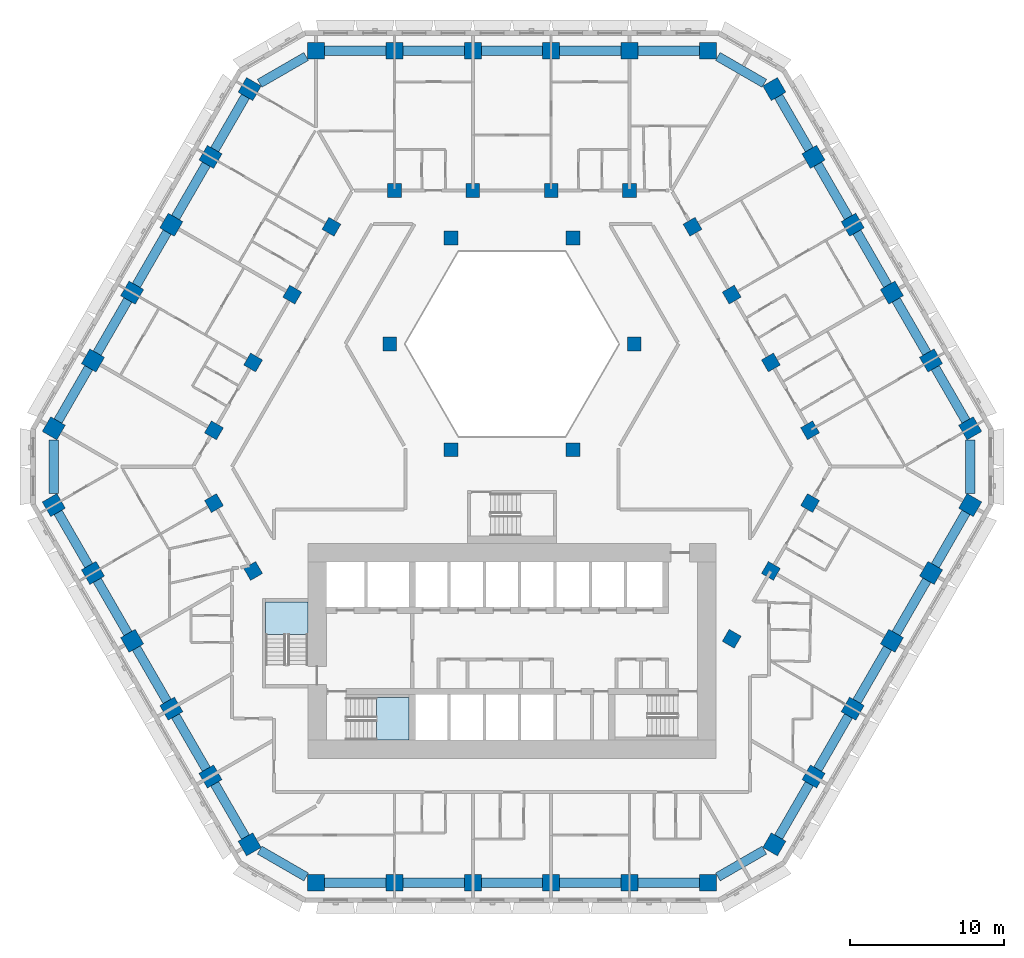
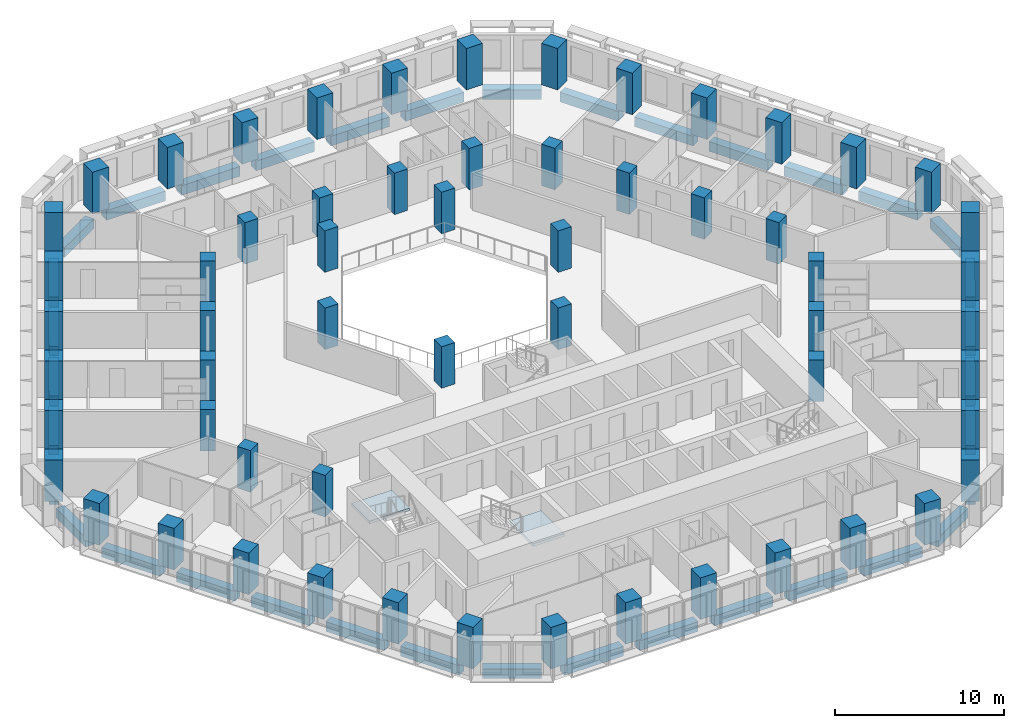
# One storey, part 1 of 21: 59 columns, 36 beams, 2 slabs, 2 elements without a shape of their own.
"""IFC4 building model written with IfcOpenShell, lengths in metres."""

from ifc_helpers import new_model, si_unit, direction, frame, origin, origin_2d, place, context, subcontext, project, spatial, polyline, rectangle, outline, extrude, material, layer, layer_set, material_profile, profile_set, type_object, element, aggregate, save


model = new_model("IFC4")

# Units and contexts
model_context = context("Model", 3, precision=1e-05, world=origin(), true_north=direction((0.0, 1.0)))
body_context = subcontext(model_context, "Body", "Model", "MODEL_VIEW")
ifc_project = project(units=[si_unit("LENGTHUNIT", "METRE"), si_unit("AREAUNIT", "SQUARE_METRE"), si_unit("VOLUMEUNIT", "CUBIC_METRE"), si_unit("PLANEANGLEUNIT", "RADIAN"), si_unit("MASSUNIT", "GRAM", prefix="KILO")], contexts=[model_context])

# Site, building, storey
site_placement = place(None, origin())
site = spatial("IfcSite", under=ifc_project, at=site_placement, CompositionType="ELEMENT")
building_placement = place(site_placement, origin())
building = spatial("IfcBuilding", under=site, at=building_placement, Name="Beryl Residences", CompositionType="ELEMENT")
storey_placement = place(building_placement, frame((0.0, 0.0, 59.39990234375)))
storey = spatial("IfcBuildingStorey", under=building, at=storey_placement, Name="L18", CompositionType="ELEMENT", Elevation=59.39990234375)

# Columns
ifc_material_1 = material(Name="Concrete C80/95", Category="concrete")
ifc_material_profile_1 = material_profile(ifc_material_1, rectangle(XDim=1.10009765625, YDim=1.10009765625, at=origin_2d()))
ifc_profile_set_1 = profile_set([ifc_material_profile_1], Name="Concrete C80/95")
column_type_1 = type_object("IfcColumnType", Name="C1 tube column 1100 x 1100 C80/95", PredefinedType="COLUMN", material=ifc_profile_set_1)
for number, where, z_axis, x_axis, name in (
    (1, (12.759033203125, 27.10009765625, 0.0), (0.0, 0.0, 1.0), (-1.0, 0.0, 0.0), "C1-N1 L18"),
    (2, (7.655029296875, 27.10009765625, 0.0), (0.0, 0.0, 1.0), (-1.0, 0.0, 0.0), "C1-N2 L18"),
    (3, (2.551025390625, 27.10009765625, 0.0), (0.0, 0.0, 1.0), (-1.0, 0.0, 0.0), "C1-N3 L18"),
    (4, (-2.552978515625, 27.10009765625, 0.0), (0.0, 0.0, 1.0), (-1.0, 0.0, 0.0), "C1-N4 L18"),
    (5, (-7.656982421875, 27.10009765625, 0.0), (0.0, 0.0, 1.0), (-1.0, 0.0, 0.0), "C1-N5 L18"),
    (6, (-12.760986328125, 27.10009765625, 0.0), (0.0, 0.0, 1.0), (-1.0, 0.0, 0.0), "C1-N6 L18"),
    (7, (-17.090087890625, 24.60009765625, 0.0), (0.0, 0.0, 1.0), (-0.499984884929, -0.866034130299, 0.0), "C1-NW1 L18"),
    (8, (-19.64208984375, 20.179931640625, 0.0), (0.0, 0.0, 1.0), (-0.499984884929, -0.866034130299, 0.0), "C1-NW2 L18"),
    (9, (-22.194091796875, 15.759033203125, 0.0), (0.0, 0.0, 1.0), (-0.499984884929, -0.866034130299, 0.0), "C1-NW3 L18"),
    (10, (-24.74609375, 11.339111328125, 0.0), (0.0, 0.0, 1.0), (-0.499984884929, -0.866034130299, 0.0), "C1-NW4 L18"),
    (11, (-27.298095703125, 6.9189453125, 0.0), (0.0, 0.0, 1.0), (-0.499984884929, -0.866034130299, 0.0), "C1-NW5 L18"),
    (12, (-29.84912109375, 2.4990234375, 0.0), (0.0, 0.0, 1.0), (-0.499984884929, -0.866034130299, 0.0), "C1-NW6 L18"),
    (13, (-29.847900390625, -2.5, 0.0), (0.0, 0.0, 1.0), (0.499984884929, -0.866034130299, 0.0), "C1-SW1 L18"),
    (14, (-27.297119140625, -6.9208984375, 0.0), (0.0, 0.0, 1.0), (0.499984884929, -0.866034130299, 0.0), "C1-SW2 L18"),
    (15, (-24.7451171875, -11.341064453125, 0.0), (0.0, 0.0, 1.0), (0.499984884929, -0.866034130299, 0.0), "C1-SW3 L18"),
    (16, (-22.193115234375, -15.760986328125, 0.0), (0.0, 0.0, 1.0), (0.499984884929, -0.866034130299, 0.0), "C1-SW4 L18"),
    (17, (-19.64111328125, -20.180908203125, 0.0), (0.0, 0.0, 1.0), (0.499984884929, -0.866034130299, 0.0), "C1-SW5 L18"),
    (18, (-17.089111328125, -24.60107421875, 0.0), (0.0, 0.0, 1.0), (0.499984884929, -0.866034130299, 0.0), "C1-SW6 L18"),
    (19, (-12.759033203125, -27.10009765625, 0.0), (0.0, 0.0, 1.0), (1.0, 0.0, 0.0), "C1-S1 L18"),
    (20, (-7.655029296875, -27.10009765625, 0.0), (0.0, 0.0, 1.0), (1.0, 0.0, 0.0), "C1-S2 L18"),
    (21, (-2.551025390625, -27.10009765625, 0.0), (0.0, 0.0, 1.0), (1.0, 0.0, 0.0), "C1-S3 L18"),
    (22, (2.552978515625, -27.10009765625, 0.0), (0.0, 0.0, 1.0), (1.0, 0.0, 0.0), "C1-S4 L18"),
    (23, (7.656982421875, -27.10009765625, 0.0), (0.0, 0.0, 1.0), (1.0, 0.0, 0.0), "C1-S5 L18"),
    (24, (12.760986328125, -27.10009765625, 0.0), (0.0, 0.0, 1.0), (1.0, 0.0, 0.0), "C1-S6 L18"),
    (25, (17.090087890625, -24.60009765625, 0.0), (0.0, 0.0, 1.0), (0.499984884929, 0.866034130299, 0.0), "C1-SE1 L18"),
    (26, (19.64208984375, -20.179931640625, 0.0), (0.0, 0.0, 1.0), (0.499984884929, 0.866034130299, 0.0), "C1-SE2 L18"),
    (27, (22.194091796875, -15.759033203125, 0.0), (0.0, 0.0, 1.0), (0.499984884929, 0.866034130299, 0.0), "C1-SE3 L18"),
    (28, (24.74609375, -11.339111328125, 0.0), (0.0, 0.0, 1.0), (0.499984884929, 0.866034130299, 0.0), "C1-SE4 L18"),
    (29, (27.298095703125, -6.9189453125, 0.0), (0.0, 0.0, 1.0), (0.499984884929, 0.866034130299, 0.0), "C1-SE5 L18"),
    (30, (29.84912109375, -2.4990234375, 0.0), (0.0, 0.0, 1.0), (0.499984884929, 0.866034130299, 0.0), "C1-SE6 L18"),
    (31, (29.847900390625, 2.5, 0.0), (0.0, 0.0, 1.0), (-0.499984884929, 0.866034130299, 0.0), "C1-NE1 L18"),
    (32, (27.297119140625, 6.9208984375, 0.0), (0.0, 0.0, 1.0), (-0.499984884929, 0.866034130299, 0.0), "C1-NE2 L18"),
    (33, (24.7451171875, 11.341064453125, 0.0), (0.0, 0.0, 1.0), (-0.499984884929, 0.866034130299, 0.0), "C1-NE3 L18"),
    (34, (22.193115234375, 15.760986328125, 0.0), (0.0, 0.0, 1.0), (-0.499984884929, 0.866034130299, 0.0), "C1-NE4 L18"),
    (35, (19.64111328125, 20.180908203125, 0.0), (0.0, 0.0, 1.0), (-0.499984884929, 0.866034130299, 0.0), "C1-NE5 L18"),
    (36, (17.089111328125, 24.60107421875, 0.0), (0.0, 0.0, 1.0), (-0.499984884929, 0.866034130299, 0.0), "C1-NE6 L18"),
):
    element("IfcColumn", number, at=place(storey_placement, frame(where, z_axis=z_axis, x_axis=x_axis)), inside=storey, type_object=column_type_1, Name=name, PredefinedType="COLUMN", context=body_context, shape_type="SweptSolid", body=[
        extrude(rectangle(XDim=1.10009765625, YDim=1.10009765625, at=origin_2d()), origin(), (0.0, 0.0, 1.0), 3.0),
    ])
ifc_material_2 = material(Name="Concrete C80/95", Category="concrete")
ifc_material_profile_2 = material_profile(ifc_material_2, rectangle(XDim=0.89990234375, YDim=0.89990234375, at=origin_2d()))
ifc_profile_set_2 = profile_set([ifc_material_profile_2], Name="Concrete C80/95")
column_type_2 = type_object("IfcColumnType", Name="IC1 interior column 900 x 900 C80/95", PredefinedType="COLUMN", material=ifc_profile_set_2)
for number, where, z_axis, x_axis, name in (
    (37, (-19.416015625, -2.37109375, 0.0), (0.0, 0.0, 1.0), (0.499984884929, -0.866034130299, 0.0), "IC1-M01 L18"),
    (38, (-16.864013671875, -6.791015625, 0.0), (0.0, 0.0, 1.0), (0.499984884929, -0.866034130299, 0.0), "IC1-M02 L18"),
    (39, (14.31298828125, -11.208984375, 0.0), (0.0, 0.0, 1.0), (0.499984884929, 0.866034130299, 0.0), "IC1-M03 L18"),
    (40, (16.864990234375, -6.7890625, 0.0), (0.0, 0.0, 1.0), (0.499984884929, 0.866034130299, 0.0), "IC1-M04 L18"),
    (41, (19.4169921875, -2.368896484375, 0.0), (0.0, 0.0, 1.0), (0.499984884929, 0.866034130299, 0.0), "IC1-M05 L18"),
    (42, (19.416015625, 2.37109375, 0.0), (0.0, 0.0, 1.0), (-0.499984884929, 0.866034130299, 0.0), "IC1-M06 L18"),
    (43, (3.98388671875, 1.10009765625, 0.0), (0.0, 0.0, 1.0), (1.0, 0.0, 0.0), "IC1-A07 L18"),
    (44, (16.864013671875, 6.791015625, 0.0), (0.0, 0.0, 1.0), (-0.499984884929, 0.866034130299, 0.0), "IC1-M08 L18"),
    (45, (14.31201171875, 11.2109375, 0.0), (0.0, 0.0, 1.0), (-0.499984884929, 0.866034130299, 0.0), "IC1-M09 L18"),
    (46, (7.967041015625, 8.0, 0.0), (0.0, 0.0, 1.0), (1.0, 0.0, 0.0), "IC1-A10 L18"),
    (47, (11.760009765625, 15.631103515625, 0.0), (0.0, 0.0, 1.0), (-0.499984884929, 0.866034130299, 0.0), "IC1-M11 L18"),
    (48, (7.655029296875, 18.0, 0.0), (0.0, 0.0, 1.0), (-1.0, 0.0, 0.0), "IC1-M12 L18"),
    (49, (3.98388671875, 14.89990234375, 0.0), (0.0, 0.0, 1.0), (1.0, 0.0, 0.0), "IC1-A13 L18"),
    (50, (2.551025390625, 18.0, 0.0), (0.0, 0.0, 1.0), (-1.0, 0.0, 0.0), "IC1-M14 L18"),
    (51, (-2.552978515625, 18.0, 0.0), (0.0, 0.0, 1.0), (-1.0, 0.0, 0.0), "IC1-M15 L18"),
    (52, (-3.98388671875, 14.89990234375, 0.0), (0.0, 0.0, 1.0), (1.0, 0.0, 0.0), "IC1-A16 L18"),
    (53, (-7.656982421875, 18.0, 0.0), (0.0, 0.0, 1.0), (-1.0, 0.0, 0.0), "IC1-M17 L18"),
    (54, (-11.760986328125, 15.6298828125, 0.0), (0.0, 0.0, 1.0), (-0.499984884929, -0.866034130299, 0.0), "IC1-M18 L18"),
    (55, (-7.967041015625, 8.0, 0.0), (0.0, 0.0, 1.0), (1.0, 0.0, 0.0), "IC1-A19 L18"),
    (56, (-14.31298828125, 11.208984375, 0.0), (0.0, 0.0, 1.0), (-0.499984884929, -0.866034130299, 0.0), "IC1-M20 L18"),
    (57, (-16.864990234375, 6.7890625, 0.0), (0.0, 0.0, 1.0), (-0.499984884929, -0.866034130299, 0.0), "IC1-M21 L18"),
    (58, (-3.98388671875, 1.10009765625, 0.0), (0.0, 0.0, 1.0), (1.0, 0.0, 0.0), "IC1-A22 L18"),
    (59, (-19.4169921875, 2.368896484375, 0.0), (0.0, 0.0, 1.0), (-0.499984884929, -0.866034130299, 0.0), "IC1-M23 L18"),
):
    element("IfcColumn", number, at=place(storey_placement, frame(where, z_axis=z_axis, x_axis=x_axis)), inside=storey, type_object=column_type_2, Name=name, PredefinedType="COLUMN", context=body_context, shape_type="SweptSolid", body=[
        extrude(rectangle(XDim=0.89990234375, YDim=0.89990234375, at=origin_2d()), origin(), (0.0, 0.0, 1.0), 3.0),
    ])

# Beams
ifc_material_3 = material(Name="Concrete C80/95", Category="concrete")
ifc_material_profile_3 = material_profile(ifc_material_3, rectangle(XDim=0.60009765625, YDim=0.699951171875, at=origin_2d()))
ifc_profile_set_3 = profile_set([ifc_material_profile_3], Name="Concrete C80/95")
beam_type = type_object("IfcBeamType", Name="SB1 spandrel beam 600 x 700 C80/95", PredefinedType="SPANDREL", material=ifc_profile_set_3)
for number, where, z_axis, x_axis, name in (
    (60, (12.208984375, 27.10009765625, -0.64990234375), (-1.0, 0.0, 0.0), (0.0, -1.0, 0.0), "SB1 L18 N-0"),
    (61, (7.10498046875, 27.10009765625, -0.64990234375), (-1.0, 0.0, 0.0), (0.0, -1.0, 0.0), "SB1 L18 N-1"),
    (62, (2.0009765625, 27.10009765625, -0.64990234375), (-1.0, 0.0, 0.0), (0.0, -1.0, 0.0), "SB1 L18 N-2"),
    (63, (-3.10302734375, 27.10009765625, -0.64990234375), (-1.0, 0.0, 0.0), (0.0, -1.0, 0.0), "SB1 L18 N-3"),
    (64, (-8.20703125, 27.10009765625, -0.64990234375), (-1.0, 0.0, 0.0), (0.0, -1.0, 0.0), "SB1 L18 N-4"),
):
    element("IfcBeam", number, at=place(storey_placement, frame(where, z_axis=z_axis, x_axis=x_axis)), inside=storey, type_object=beam_type, Name=name, PredefinedType="SPANDREL", context=body_context, shape_type="SweptSolid", body=[
        extrude(rectangle(XDim=0.60009765625, YDim=0.699951171875, at=origin_2d()), origin(), (0.0, 0.0, 1.0), 4.00390625),
    ])
beam_1_placement = place(storey_placement, frame((-13.410888671875, 26.72412109375, -0.64990234375), z_axis=(-0.866121658299, -0.499833245218, 0.0), x_axis=(0.499833245218, -0.866121658299, 0.0)))
element("IfcBeam", 65, at=beam_1_placement, inside=storey, type_object=beam_type, Name="SB1 L18 N-5", PredefinedType="SPANDREL", context=body_context, shape_type="SweptSolid", body=[
    extrude(rectangle(XDim=0.60009765625, YDim=0.699951171875, at=origin_2d()), origin(), (0.0, 0.0, 1.0), 3.497314453125),
])
beam_2_placement = place(storey_placement, frame((-17.364990234375, 24.1240234375, -0.64990234375), z_axis=(-0.499942357345, -0.866058681229, 0.0), x_axis=(0.866058681229, -0.499942357345, 0.0)))
element("IfcBeam", 66, at=beam_2_placement, inside=storey, type_object=beam_type, Name="SB1 L18 NW-0", PredefinedType="SPANDREL", context=body_context, shape_type="SweptSolid", body=[
    extrude(rectangle(XDim=0.60009765625, YDim=0.699951171875, at=origin_2d()), origin(), (0.0, 0.0, 1.0), 4.00439453125),
])
beam_3_placement = place(storey_placement, frame((-19.9169921875, 19.7041015625, -0.64990234375), z_axis=(-0.499836783367, -0.866119616446, 0.0), x_axis=(0.866119616446, -0.499836783367, 0.0)))
element("IfcBeam", 67, at=beam_3_placement, inside=storey, type_object=beam_type, Name="SB1 L18 NW-1", PredefinedType="SPANDREL", context=body_context, shape_type="SweptSolid", body=[
    extrude(rectangle(XDim=0.60009765625, YDim=0.699951171875, at=origin_2d()), origin(), (0.0, 0.0, 1.0), 4.005126953125),
])
for number, where, z_axis, x_axis, name in (
    (68, (-22.468994140625, 15.282958984375, -0.64990234375), (-0.499942357345, -0.866058681229, 0.0), (0.866058681229, -0.499942357345, 0.0), "SB1 L18 NW-2"),
    (69, (-25.02099609375, 10.863037109375, -0.64990234375), (-0.499942357345, -0.866058681229, 0.0), (0.866058681229, -0.499942357345, 0.0), "SB1 L18 NW-3"),
):
    element("IfcBeam", number, at=place(storey_placement, frame(where, z_axis=z_axis, x_axis=x_axis)), inside=storey, type_object=beam_type, Name=name, PredefinedType="SPANDREL", context=body_context, shape_type="SweptSolid", body=[
        extrude(rectangle(XDim=0.60009765625, YDim=0.699951171875, at=origin_2d()), origin(), (0.0, 0.0, 1.0), 4.00439453125),
    ])
beam_4_placement = place(storey_placement, frame((-27.572998046875, 6.443115234375, -0.64990234375), z_axis=(-0.499759404093, -0.866164267342, 0.0), x_axis=(0.866164267342, -0.499759404093, 0.0)))
element("IfcBeam", 70, at=beam_4_placement, inside=storey, type_object=beam_type, Name="SB1 L18 NW-4", PredefinedType="SPANDREL", context=body_context, shape_type="SweptSolid", body=[
    extrude(rectangle(XDim=0.60009765625, YDim=0.699951171875, at=origin_2d()), origin(), (0.0, 0.0, 1.0), 4.00390625),
])
beam_5_placement = place(storey_placement, frame((-29.84912109375, 1.748046875, -0.64990234375), z_axis=(0.000349064486, -0.999999939077, 0.0), x_axis=(0.999999939077, 0.000349064486, 0.0)))
element("IfcBeam", 71, at=beam_5_placement, inside=storey, type_object=beam_type, Name="SB1 L18 NW-5", PredefinedType="SPANDREL", context=body_context, shape_type="SweptSolid", body=[
    extrude(rectangle(XDim=0.60009765625, YDim=0.699951171875, at=origin_2d()), origin(), (0.0, 0.0, 1.0), 3.4970703125),
])
beam_6_placement = place(storey_placement, frame((-29.572998046875, -2.97607421875, -0.64990234375), z_axis=(0.499653843024, -0.866225165388, 0.0), x_axis=(0.866225165388, 0.499653843024, 0.0)))
element("IfcBeam", 72, at=beam_6_placement, inside=storey, type_object=beam_type, Name="SB1 L18 SW-0", PredefinedType="SPANDREL", context=body_context, shape_type="SweptSolid", body=[
    extrude(rectangle(XDim=0.60009765625, YDim=0.699951171875, at=origin_2d()), origin(), (0.0, 0.0, 1.0), 4.004638671875),
])
for number, where, z_axis, x_axis, name in (
    (73, (-27.02197265625, -7.39697265625, -0.64990234375), (0.499942357345, -0.866058681229, 0.0), (0.866058681229, 0.499942357345, 0.0), "SB1 L18 SW-1"),
    (74, (-24.469970703125, -11.81689453125, -0.64990234375), (0.499942357345, -0.866058681229, 0.0), (0.866058681229, 0.499942357345, 0.0), "SB1 L18 SW-2"),
    (75, (-21.91796875, -16.237060546875, -0.64990234375), (0.499942357345, -0.866058681229, 0.0), (0.866058681229, 0.499942357345, 0.0), "SB1 L18 SW-3"),
    (76, (-19.365966796875, -20.656982421875, -0.64990234375), (0.499942357345, -0.866058681229, 0.0), (0.866058681229, 0.499942357345, 0.0), "SB1 L18 SW-4"),
):
    element("IfcBeam", number, at=place(storey_placement, frame(where, z_axis=z_axis, x_axis=x_axis)), inside=storey, type_object=beam_type, Name=name, PredefinedType="SPANDREL", context=body_context, shape_type="SweptSolid", body=[
        extrude(rectangle(XDim=0.60009765625, YDim=0.699951171875, at=origin_2d()), origin(), (0.0, 0.0, 1.0), 4.00439453125),
    ])
beam_7_placement = place(storey_placement, frame((-16.43896484375, -24.97607421875, -0.64990234375), z_axis=(0.866070549782, -0.499921796684, 0.0), x_axis=(0.499921796684, 0.866070549782, 0.0)))
element("IfcBeam", 77, at=beam_7_placement, inside=storey, type_object=beam_type, Name="SB1 L18 SW-5", PredefinedType="SPANDREL", context=body_context, shape_type="SweptSolid", body=[
    extrude(rectangle(XDim=0.60009765625, YDim=0.699951171875, at=origin_2d()), origin(), (0.0, 0.0, 1.0), 3.49853515625),
])
for number, where, z_axis, x_axis, name in (
    (78, (-12.208984375, -27.10009765625, -0.64990234375), (1.0, 0.0, 0.0), (0.0, 1.0, 0.0), "SB1 L18 S-0"),
    (79, (-7.10498046875, -27.10009765625, -0.64990234375), (1.0, 0.0, 0.0), (0.0, 1.0, 0.0), "SB1 L18 S-1"),
    (80, (-2.0009765625, -27.10009765625, -0.64990234375), (1.0, 0.0, 0.0), (0.0, 1.0, 0.0), "SB1 L18 S-2"),
    (81, (3.10302734375, -27.10009765625, -0.64990234375), (1.0, 0.0, 0.0), (0.0, 1.0, 0.0), "SB1 L18 S-3"),
    (82, (8.20703125, -27.10009765625, -0.64990234375), (1.0, 0.0, 0.0), (0.0, 1.0, 0.0), "SB1 L18 S-4"),
):
    element("IfcBeam", number, at=place(storey_placement, frame(where, z_axis=z_axis, x_axis=x_axis)), inside=storey, type_object=beam_type, Name=name, PredefinedType="SPANDREL", context=body_context, shape_type="SweptSolid", body=[
        extrude(rectangle(XDim=0.60009765625, YDim=0.699951171875, at=origin_2d()), origin(), (0.0, 0.0, 1.0), 4.00390625),
    ])
beam_8_placement = place(storey_placement, frame((13.410888671875, -26.72412109375, -0.64990234375), z_axis=(0.866121658299, 0.499833245218, 0.0), x_axis=(-0.499833245218, 0.866121658299, 0.0)))
element("IfcBeam", 83, at=beam_8_placement, inside=storey, type_object=beam_type, Name="SB1 L18 S-5", PredefinedType="SPANDREL", context=body_context, shape_type="SweptSolid", body=[
    extrude(rectangle(XDim=0.60009765625, YDim=0.699951171875, at=origin_2d()), origin(), (0.0, 0.0, 1.0), 3.497314453125),
])
beam_9_placement = place(storey_placement, frame((17.364990234375, -24.1240234375, -0.64990234375), z_axis=(0.499942357345, 0.866058681229, 0.0), x_axis=(-0.866058681229, 0.499942357345, 0.0)))
element("IfcBeam", 84, at=beam_9_placement, inside=storey, type_object=beam_type, Name="SB1 L18 SE-0", PredefinedType="SPANDREL", context=body_context, shape_type="SweptSolid", body=[
    extrude(rectangle(XDim=0.60009765625, YDim=0.699951171875, at=origin_2d()), origin(), (0.0, 0.0, 1.0), 4.00439453125),
])
beam_10_placement = place(storey_placement, frame((19.9169921875, -19.7041015625, -0.64990234375), z_axis=(0.499836783367, 0.866119616446, 0.0), x_axis=(-0.866119616446, 0.499836783367, 0.0)))
element("IfcBeam", 85, at=beam_10_placement, inside=storey, type_object=beam_type, Name="SB1 L18 SE-1", PredefinedType="SPANDREL", context=body_context, shape_type="SweptSolid", body=[
    extrude(rectangle(XDim=0.60009765625, YDim=0.699951171875, at=origin_2d()), origin(), (0.0, 0.0, 1.0), 4.005126953125),
])
for number, where, z_axis, x_axis, name in (
    (86, (22.468994140625, -15.282958984375, -0.64990234375), (0.499942357345, 0.866058681229, 0.0), (-0.866058681229, 0.499942357345, 0.0), "SB1 L18 SE-2"),
    (87, (25.02099609375, -10.863037109375, -0.64990234375), (0.499942357345, 0.866058681229, 0.0), (-0.866058681229, 0.499942357345, 0.0), "SB1 L18 SE-3"),
):
    element("IfcBeam", number, at=place(storey_placement, frame(where, z_axis=z_axis, x_axis=x_axis)), inside=storey, type_object=beam_type, Name=name, PredefinedType="SPANDREL", context=body_context, shape_type="SweptSolid", body=[
        extrude(rectangle(XDim=0.60009765625, YDim=0.699951171875, at=origin_2d()), origin(), (0.0, 0.0, 1.0), 4.00439453125),
    ])
beam_11_placement = place(storey_placement, frame((27.572998046875, -6.443115234375, -0.64990234375), z_axis=(0.499759404093, 0.866164267342, 0.0), x_axis=(-0.866164267342, 0.499759404093, 0.0)))
element("IfcBeam", 88, at=beam_11_placement, inside=storey, type_object=beam_type, Name="SB1 L18 SE-4", PredefinedType="SPANDREL", context=body_context, shape_type="SweptSolid", body=[
    extrude(rectangle(XDim=0.60009765625, YDim=0.699951171875, at=origin_2d()), origin(), (0.0, 0.0, 1.0), 4.00390625),
])
beam_12_placement = place(storey_placement, frame((29.84912109375, -1.748046875, -0.64990234375), z_axis=(-0.000349064486, 0.999999939077, 0.0), x_axis=(-0.999999939077, -0.000349064486, 0.0)))
element("IfcBeam", 89, at=beam_12_placement, inside=storey, type_object=beam_type, Name="SB1 L18 SE-5", PredefinedType="SPANDREL", context=body_context, shape_type="SweptSolid", body=[
    extrude(rectangle(XDim=0.60009765625, YDim=0.699951171875, at=origin_2d()), origin(), (0.0, 0.0, 1.0), 3.4970703125),
])
beam_13_placement = place(storey_placement, frame((29.572998046875, 2.97607421875, -0.64990234375), z_axis=(-0.499653843024, 0.866225165388, 0.0), x_axis=(-0.866225165388, -0.499653843024, 0.0)))
element("IfcBeam", 90, at=beam_13_placement, inside=storey, type_object=beam_type, Name="SB1 L18 NE-0", PredefinedType="SPANDREL", context=body_context, shape_type="SweptSolid", body=[
    extrude(rectangle(XDim=0.60009765625, YDim=0.699951171875, at=origin_2d()), origin(), (0.0, 0.0, 1.0), 4.004638671875),
])
for number, where, z_axis, x_axis, name in (
    (91, (27.02197265625, 7.39697265625, -0.64990234375), (-0.499942357345, 0.866058681229, 0.0), (-0.866058681229, -0.499942357345, 0.0), "SB1 L18 NE-1"),
    (92, (24.469970703125, 11.81689453125, -0.64990234375), (-0.499942357345, 0.866058681229, 0.0), (-0.866058681229, -0.499942357345, 0.0), "SB1 L18 NE-2"),
    (93, (21.91796875, 16.237060546875, -0.64990234375), (-0.499942357345, 0.866058681229, 0.0), (-0.866058681229, -0.499942357345, 0.0), "SB1 L18 NE-3"),
    (94, (19.365966796875, 20.656982421875, -0.64990234375), (-0.499942357345, 0.866058681229, 0.0), (-0.866058681229, -0.499942357345, 0.0), "SB1 L18 NE-4"),
):
    element("IfcBeam", number, at=place(storey_placement, frame(where, z_axis=z_axis, x_axis=x_axis)), inside=storey, type_object=beam_type, Name=name, PredefinedType="SPANDREL", context=body_context, shape_type="SweptSolid", body=[
        extrude(rectangle(XDim=0.60009765625, YDim=0.699951171875, at=origin_2d()), origin(), (0.0, 0.0, 1.0), 4.00439453125),
    ])
beam_14_placement = place(storey_placement, frame((16.43896484375, 24.97607421875, -0.64990234375), z_axis=(-0.866070549782, 0.499921796684, 0.0), x_axis=(-0.499921796684, -0.866070549782, 0.0)))
element("IfcBeam", 95, at=beam_14_placement, inside=storey, type_object=beam_type, Name="SB1 L18 NE-5", PredefinedType="SPANDREL", context=body_context, shape_type="SweptSolid", body=[
    extrude(rectangle(XDim=0.60009765625, YDim=0.699951171875, at=origin_2d()), origin(), (0.0, 0.0, 1.0), 3.49853515625),
])

# Stair, slab
ifc_material_4 = material(Name="Concrete C40/50", Category="concrete")
stair_type = type_object("IfcStairType", Name="ST1 protected exit stair, half-turn, 1300 mm flights", PredefinedType="HALF_TURN_STAIR", material=ifc_material_4)
stair_1_placement = place(storey_placement, origin())
stair_1 = element("IfcStair", 96, at=stair_1_placement, inside=storey, type_object=stair_type, Name="L18 PROTECTED EXIT STAIR ST-1", PredefinedType="HALF_TURN_STAIR")
ifc_material_5 = material(Name="Concrete C40/50", Category="concrete")
ifc_layer = layer(ifc_material_5, 0.199951171875)
ifc_layer_set = layer_set([ifc_layer], Name="SLD1 stair landing 200 mm")
slab_type = type_object("IfcSlabType", Name="SLD1 stair landing 200 mm", PredefinedType="LANDING", material=ifc_layer_set)
slab_1_placement = place(storey_placement, frame((0.0, 0.0, 1.300048828125)))
slab_1 = element("IfcSlab", 97, at=slab_1_placement, type_object=slab_type, Name="ST-1 landing 1", PredefinedType="LANDING", context=body_context, shape_type="SweptSolid", body=[
    extrude(outline(polyline([(-8.840087890625, -17.800048828125), (-6.699951171875, -17.800048828125), (-6.699951171875, -15.050048828125), (-8.840087890625, -15.050048828125), (-8.840087890625, -17.800048828125)])), origin(), (0.0, 0.0, 1.0), 0.199951171875),
])
aggregate(stair_1, [slab_1])

stair_2_placement = place(storey_placement, origin())
stair_2 = element("IfcStair", 98, at=stair_2_placement, inside=storey, type_object=stair_type, Name="L18 PROTECTED EXIT STAIR ST-2", PredefinedType="HALF_TURN_STAIR")
slab_2_placement = place(storey_placement, frame((0.0, 0.0, 1.300048828125)))
slab_2 = element("IfcSlab", 99, at=slab_2_placement, type_object=slab_type, Name="ST-2 landing 1", PredefinedType="LANDING", context=body_context, shape_type="SweptSolid", body=[
    extrude(outline(polyline([(-13.300048828125, -10.93994140625), (-13.300048828125, -8.800048828125), (-16.050048828125, -8.800048828125), (-16.050048828125, -10.93994140625), (-13.300048828125, -10.93994140625)])), origin(), (0.0, 0.0, 1.0), 0.199951171875),
])
aggregate(stair_2, [slab_2])

save(model, "model.ifc")
